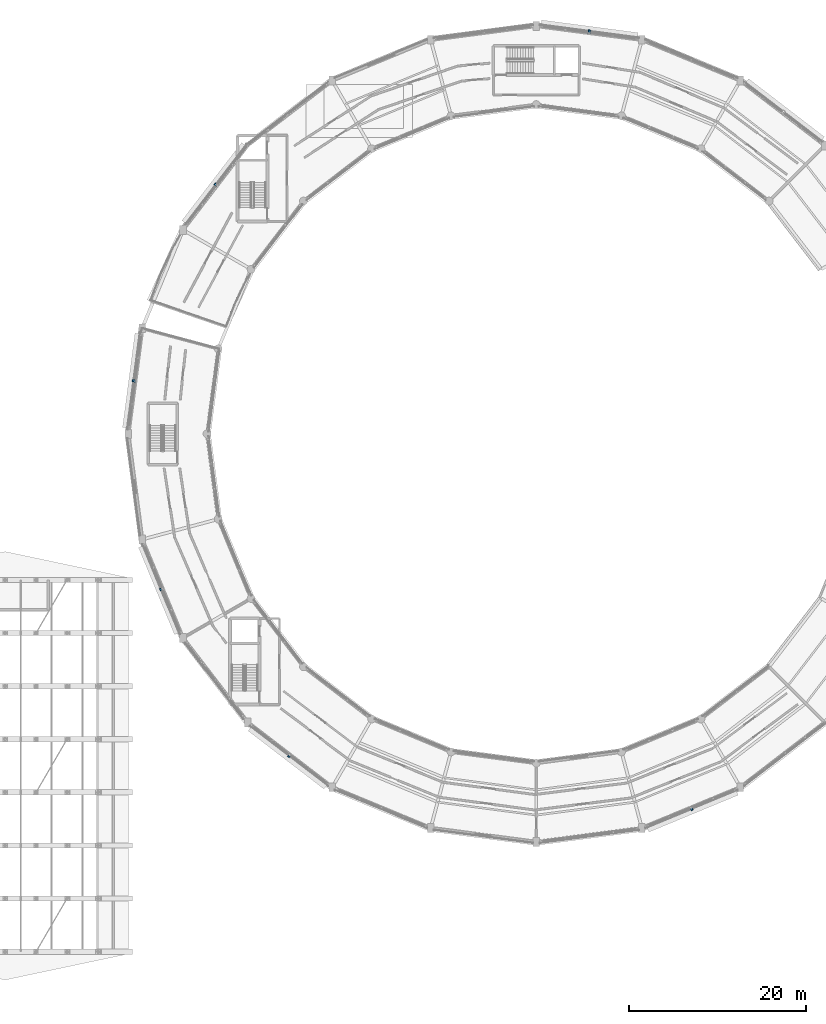
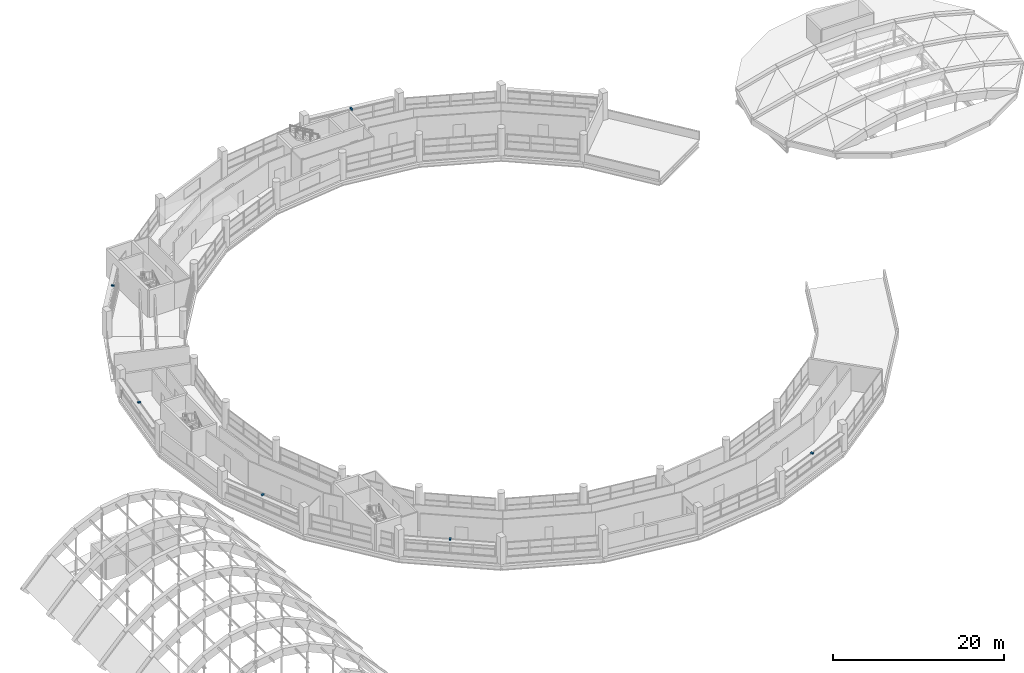
# One storey, part 80 of 88: 6 discrete accessories.
"""IFC4 building model written with IfcOpenShell, lengths in metres."""

from ifc_helpers import new_model, si_unit, direction, frame, origin, origin_2d, place, context, subcontext, project, spatial, rectangle, extrude, material, type_object, element, save


model = new_model("IFC4")

# Units and contexts
model_context = context("Model", 3, precision=1e-05, world=origin(), true_north=direction((0.0, 1.0)))
body_context = subcontext(model_context, "Body", "Model", "MODEL_VIEW")
ifc_project = project(units=[si_unit("LENGTHUNIT", "METRE"), si_unit("AREAUNIT", "SQUARE_METRE"), si_unit("VOLUMEUNIT", "CUBIC_METRE"), si_unit("PLANEANGLEUNIT", "RADIAN"), si_unit("MASSUNIT", "GRAM", prefix="KILO")], contexts=[model_context])

# Site, building, storey
site_placement = place(None, origin())
site = spatial("IfcSite", under=ifc_project, at=site_placement, CompositionType="ELEMENT")
building_placement = place(site_placement, origin())
building = spatial("IfcBuilding", under=site, at=building_placement, Name="Vespera Passage Community Centre", CompositionType="ELEMENT")
storey_placement = place(building_placement, frame((0.0, 0.0, 16.5)))
storey = spatial("IfcBuildingStorey", under=building, at=storey_placement, Name="L04", CompositionType="ELEMENT", Elevation=16.5)

# Discrete accessories
ifc_material = material(Name="Steel ASTM A572 Grade 50", Category="steel")
discrete_accessory_type = type_object("IfcDiscreteAccessoryType", Name="ACC-BRACKET", PredefinedType="BRACKET", material=ifc_material)
for number, where, z_axis, x_axis, name in (
    (1, (83.984130859375, 110.953369140625, 2.70556640625), (0.0, 0.0, 1.0), (0.991444861374, -0.13052619222, 0.0), "V4 L04 Outer Solar Eyebrow 5 Bracket"),
    (2, (41.80810546875, 93.6435546875, 2.70556640625), (0.0, 0.0, 1.0), (0.608761429009, 0.793353340291, 0.0), "V4 L04 Outer Solar Eyebrow 9 Bracket"),
    (3, (32.546630859375, 71.484130859375, 2.70556640625), (0.0, 0.0, 1.0), (0.130508888223, 0.991447139335, 0.0), "V4 L04 Outer Solar Eyebrow 11 Bracket"),
    (4, (35.644287109375, 47.95556640625, 2.70556640625), (0.0, 0.0, 1.0), (-0.382683432365, 0.923879532511, 0.0), "V4 L04 Outer Solar Eyebrow 13 Bracket"),
    (5, (50.091064453125, 29.128173828125, 2.70556640625), (0.0, 0.0, 1.0), (-0.793342715279, 0.608775275544, 0.0), "V4 L04 Outer Solar Eyebrow 15 Bracket"),
    (6, (95.54443359375, 23.144287109375, 2.70556640625), (0.0, 0.0, 1.0), (-0.923879532511, -0.382683432365, 0.0), "V4 L04 Outer Solar Eyebrow 19 Bracket"),
):
    element("IfcDiscreteAccessory", number, at=place(storey_placement, frame(where, z_axis=z_axis, x_axis=x_axis)), inside=storey, type_object=discrete_accessory_type, Name=name, PredefinedType="BRACKET", context=body_context, shape_type="SweptSolid", body=[
        extrude(rectangle(XDim=0.239990234375, YDim=0.3798828125, at=origin_2d()), origin(), (0.0, 0.0, 1.0), 0.239990234375),
    ])

save(model, "model.ifc")
